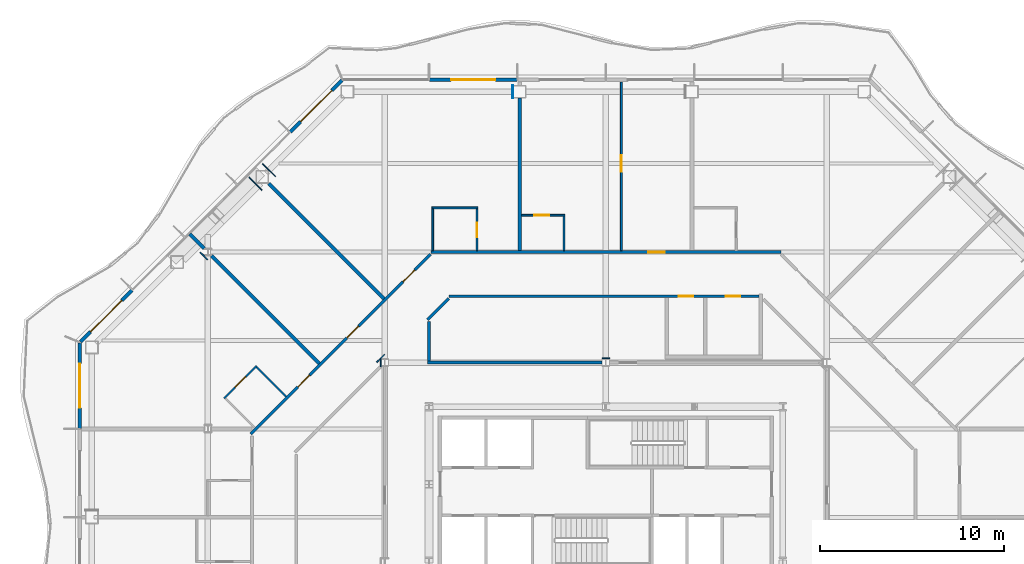
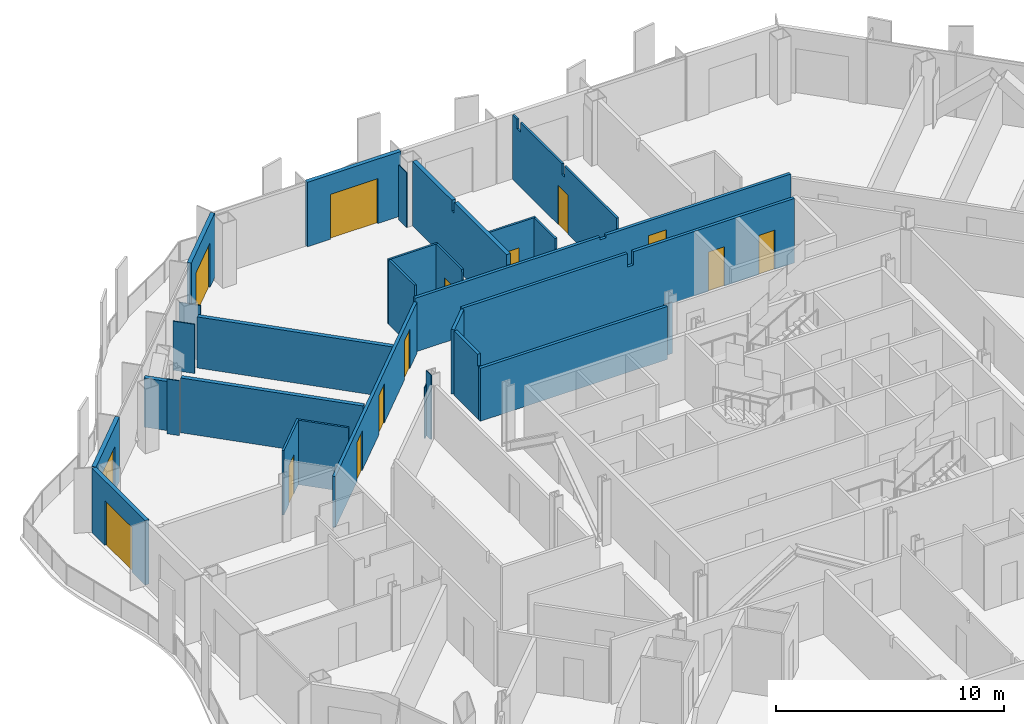
# One storey, part 12 of 22: 29 walls, 14 doors, 14 openings.
"""IFC4 building model written with IfcOpenShell, lengths in metres."""

from ifc_helpers import new_model, si_unit, direction, frame, frame_2d, origin, place, context, subcontext, project, spatial, polyline, rectangle, outline, extrude, material, layer, layer_set, type_object, element, fill, save


model = new_model("IFC4")

# Units and contexts
model_context = context("Model", 3, precision=1e-05, world=origin(), true_north=direction((0.0, 1.0)))
body_context = subcontext(model_context, "Body", "Model", "MODEL_VIEW")
ifc_project = project(units=[si_unit("LENGTHUNIT", "METRE"), si_unit("AREAUNIT", "SQUARE_METRE"), si_unit("VOLUMEUNIT", "CUBIC_METRE"), si_unit("PLANEANGLEUNIT", "RADIAN"), si_unit("MASSUNIT", "GRAM", prefix="KILO")], contexts=[model_context])

# Site, building, storey
site_placement = place(None, origin())
site = spatial("IfcSite", under=ifc_project, at=site_placement, CompositionType="ELEMENT")
building_placement = place(site_placement, origin())
building = spatial("IfcBuilding", under=site, at=building_placement, Name="Cairn Pilgrim Tower", CompositionType="ELEMENT")
storey_placement = place(building_placement, frame((0.0, 0.0, 147.0)))
storey = spatial("IfcBuildingStorey", under=building, at=storey_placement, Name="L36", CompositionType="ELEMENT", Elevation=147.0)

# Wall, opening, door
ifc_material_1 = material(Name="Bronze anodised aluminium insulated sandwich panel with mineral wool fill", Category="aluminium")
ifc_layer_1 = layer(ifc_material_1, 0.199951171875)
ifc_layer_set_1 = layer_set([ifc_layer_1], Name="BRONZE INFILL FRAME WALL 200")
wall_type_1 = type_object("IfcWallType", Name="BRONZE INFILL FRAME WALL 200", PredefinedType="NOTDEFINED", material=ifc_layer_set_1)
wall_1_placement = place(storey_placement, frame((2.3701171875, 28.550048828125, 0.0), z_axis=(0.0, 0.0, 1.0), x_axis=(-1.0, 0.0, 0.0)))
wall_1 = element("IfcWall", 1, at=wall_1_placement, inside=storey, type_object=wall_type_1, Name="Bronze infill frame wall IW-N5", PredefinedType="NOTDEFINED", context=body_context, shape_type="SweptSolid", body=[
    extrude(rectangle(XDim=4.740234375, YDim=0.199951171875, at=frame_2d((2.3701171875, 0.0))), origin(), (0.0, 0.0, 1.0), 3.449951171875),
])
opening_1_placement = place(wall_1_placement, frame((1.169677734375, 0.0, 0.0)))
opening_1 = element("IfcOpeningElement", 2, at=opening_1_placement, cuts=wall_1, Name="Opening 3611B", PredefinedType="OPENING", context=body_context, shape_type="SweptSolid", body=[
    extrude(rectangle(XDim=2.39990234375, YDim=2.39990234375, at=frame_2d((1.199951171875, 1.199951171875))), frame((0.0, 0.10986328125, 0.0), z_axis=(0.0, -1.0, 0.0), x_axis=(1.0, 0.0, 0.0)), (0.0, 0.0, 1.0), 0.219970703125),
])
ifc_material_2 = material(Name="Bronze anodised aluminium frame with tinted low-E glass", Category="aluminium")
door_type_1 = type_object("IfcDoorType", Name="BALCONY SLIDING DOOR 2400x2400", OperationType="DOUBLE_DOOR_SLIDING", PredefinedType="DOOR", material=ifc_material_2)
door_1_placement = place(opening_1_placement, origin())
door_1 = element("IfcDoor", 3, at=door_1_placement, inside=storey, type_object=door_type_1, Name="Balcony sliding door 3611B", OperationType="SINGLE_SWING_LEFT", OverallHeight=2.39990234375, OverallWidth=2.39990234375, PredefinedType="DOOR", context=body_context, shape_type="SweptSolid", body=[
    extrude(rectangle(XDim=2.39990234375, YDim=2.39990234375, at=frame_2d((1.199951171875, 1.199951171875))), frame((0.0, 0.02490234375, 0.0), z_axis=(0.0, -1.0, 0.0), x_axis=(1.0, 0.0, 0.0)), (0.0, 0.0, 1.0), 0.050048828125),
])
fill(opening_1, door_1)

wall_2_placement = place(storey_placement, frame((-7.124755859375, 28.521728515625, 0.0), z_axis=(0.0, 0.0, 1.0), x_axis=(-0.707106781187, -0.707106781187, 0.0)))
wall_2 = element("IfcWall", 4, at=wall_2_placement, inside=storey, type_object=wall_type_1, Name="Bronze infill frame wall IW-NW1", PredefinedType="NOTDEFINED", context=body_context, shape_type="SweptSolid", body=[
    extrude(rectangle(XDim=3.961669921875, YDim=0.199951171875, at=frame_2d((1.98095703125, 0.0))), origin(), (0.0, 0.0, 1.0), 3.449951171875),
])
opening_2_placement = place(wall_2_placement, frame((0.775390625, 0.0, 0.0)))
opening_2 = element("IfcOpeningElement", 5, at=opening_2_placement, cuts=wall_2, Name="Opening 3611B2", PredefinedType="OPENING", context=body_context, shape_type="SweptSolid", body=[
    extrude(rectangle(XDim=2.39990234375, YDim=2.39990234375, at=frame_2d((1.199951171875, 1.199951171875))), frame((0.0, 0.10986328125, 0.0), z_axis=(0.0, -1.0, 0.0), x_axis=(1.0, 0.0, 0.0)), (0.0, 0.0, 1.0), 0.219970703125),
])
door_2_placement = place(opening_2_placement, origin())
door_2 = element("IfcDoor", 6, at=door_2_placement, inside=storey, type_object=door_type_1, Name="Balcony sliding door 3611B2", OperationType="SINGLE_SWING_LEFT", OverallHeight=2.39990234375, OverallWidth=2.39990234375, PredefinedType="DOOR", context=body_context, shape_type="SweptSolid", body=[
    extrude(rectangle(XDim=2.39990234375, YDim=2.39990234375, at=frame_2d((1.199951171875, 1.199951171875))), frame((0.0, 0.02490234375, 0.0), z_axis=(0.0, -1.0, 0.0), x_axis=(1.0, 0.0, 0.0)), (0.0, 0.0, 1.0), 0.050048828125),
])
fill(opening_2, door_2)

wall_3_placement = place(storey_placement, frame((-18.5205078125, 17.1259765625, 0.0), z_axis=(0.0, 0.0, 1.0), x_axis=(-0.707106781187, -0.707106781187, 0.0)))
wall_3 = element("IfcWall", 7, at=wall_3_placement, inside=storey, type_object=wall_type_1, Name="Bronze infill frame wall IW-NW5", PredefinedType="NOTDEFINED", context=body_context, shape_type="SweptSolid", body=[
    extrude(rectangle(XDim=3.961669921875, YDim=0.199951171875, at=frame_2d((1.98095703125, 0.0))), origin(), (0.0, 0.0, 1.0), 3.449951171875),
])
opening_3_placement = place(wall_3_placement, frame((0.785888671875, 0.0, 0.0)))
opening_3 = element("IfcOpeningElement", 8, at=opening_3_placement, cuts=wall_3, Name="Opening 3613B2", PredefinedType="OPENING", context=body_context, shape_type="SweptSolid", body=[
    extrude(rectangle(XDim=2.39990234375, YDim=2.39990234375, at=frame_2d((1.199951171875, 1.199951171875))), frame((0.0, 0.10986328125, 0.0), z_axis=(0.0, -1.0, 0.0), x_axis=(1.0, 0.0, 0.0)), (0.0, 0.0, 1.0), 0.219970703125),
])
door_3_placement = place(opening_3_placement, origin())
door_3 = element("IfcDoor", 9, at=door_3_placement, inside=storey, type_object=door_type_1, Name="Balcony sliding door 3613B2", OperationType="SINGLE_SWING_LEFT", OverallHeight=2.39990234375, OverallWidth=2.39990234375, PredefinedType="DOOR", context=body_context, shape_type="SweptSolid", body=[
    extrude(rectangle(XDim=2.39990234375, YDim=2.39990234375, at=frame_2d((1.199951171875, 1.199951171875))), frame((0.0, 0.02490234375, 0.0), z_axis=(0.0, -1.0, 0.0), x_axis=(1.0, 0.0, 0.0)), (0.0, 0.0, 1.0), 0.050048828125),
])
fill(opening_3, door_3)

wall_4_placement = place(storey_placement, frame((-21.35009765625, 14.25634765625, 0.0), z_axis=(0.0, 0.0, 1.0), x_axis=(0.0, -1.0, 0.0)))
wall_4 = element("IfcWall", 10, at=wall_4_placement, inside=storey, type_object=wall_type_1, Name="Bronze infill frame wall IW-W1", PredefinedType="NOTDEFINED", context=body_context, shape_type="SweptSolid", body=[
    extrude(rectangle(XDim=4.62646484375, YDim=0.199951171875, at=frame_2d((2.313232421875, 0.0))), origin(), (0.0, 0.0, 1.0), 3.449951171875),
])
opening_4_placement = place(wall_4_placement, frame((1.1083984375, 0.0, 0.0)))
opening_4 = element("IfcOpeningElement", 11, at=opening_4_placement, cuts=wall_4, Name="Opening 3613B", PredefinedType="OPENING", context=body_context, shape_type="SweptSolid", body=[
    extrude(rectangle(XDim=2.39990234375, YDim=2.39990234375, at=frame_2d((1.199951171875, 1.199951171875))), frame((0.0, 0.10986328125, 0.0), z_axis=(0.0, -1.0, 0.0), x_axis=(1.0, 0.0, 0.0)), (0.0, 0.0, 1.0), 0.219970703125),
])
door_4_placement = place(opening_4_placement, origin())
door_4 = element("IfcDoor", 12, at=door_4_placement, inside=storey, type_object=door_type_1, Name="Balcony sliding door 3613B", OperationType="SINGLE_SWING_LEFT", OverallHeight=2.39990234375, OverallWidth=2.39990234375, PredefinedType="DOOR", context=body_context, shape_type="SweptSolid", body=[
    extrude(rectangle(XDim=2.39990234375, YDim=2.39990234375, at=frame_2d((1.199951171875, 1.199951171875))), frame((0.0, 0.02490234375, 0.0), z_axis=(0.0, -1.0, 0.0), x_axis=(1.0, 0.0, 0.0)), (0.0, 0.0, 1.0), 0.050048828125),
])
fill(opening_4, door_4)

ifc_material_3 = material(Name="Gypsum partition")
ifc_layer_2 = layer(ifc_material_3, 0.10009765625)
ifc_layer_set_2 = layer_set([ifc_layer_2], Name="PARTITION 100 DRYWALL")
wall_type_2 = type_object("IfcWallType", Name="PARTITION 100 DRYWALL", PredefinedType="PARTITIONING", material=ifc_layer_set_2)
wall_5_placement = place(storey_placement, frame((-13.5263671875, 11.26171875, 0.0), z_axis=(0.0, 0.0, 1.0), x_axis=(0.707106781187, 0.707106781187, 0.0)))
wall_5 = element("IfcWall", 13, at=wall_5_placement, inside=storey, type_object=wall_type_2, Name="PARTITION W073", PredefinedType="PARTITIONING", context=body_context, shape_type="SweptSolid", body=[
    extrude(rectangle(XDim=2.499755859375, YDim=0.10009765625, at=frame_2d((1.25, 0.0))), origin(), (0.0, 0.0, 1.0), 3.449951171875),
])
opening_5_placement = place(wall_5_placement, frame((0.849853515625, 0.0, 0.0)))
opening_5 = element("IfcOpeningElement", 14, at=opening_5_placement, cuts=wall_5, Name="Opening 3613A", PredefinedType="OPENING", context=body_context, shape_type="SweptSolid", body=[
    extrude(rectangle(XDim=0.800048828125, YDim=2.10009765625, at=frame_2d((0.39990234375, 1.050048828125))), frame((0.0, 0.06005859375, 0.0), z_axis=(0.0, -1.0, 0.0), x_axis=(1.0, 0.0, 0.0)), (0.0, 0.0, 1.0), 0.1201171875),
])
ifc_material_4 = material(Name="Timber door leaf", Category="wood")
door_type_2 = type_object("IfcDoorType", Name="WC DOOR 800x2100", OperationType="NOTDEFINED", PredefinedType="DOOR", material=ifc_material_4)
door_5_placement = place(opening_5_placement, origin())
door_5 = element("IfcDoor", 15, at=door_5_placement, inside=storey, type_object=door_type_2, Name="DOOR 3613A", OperationType="SINGLE_SWING_RIGHT", OverallHeight=2.10009765625, OverallWidth=0.800048828125, PredefinedType="DOOR", context=body_context, shape_type="SweptSolid", body=[
    extrude(rectangle(XDim=0.800048828125, YDim=2.10009765625, at=frame_2d((0.39990234375, 1.050048828125))), frame((0.0, 0.02490234375, 0.0), z_axis=(0.0, -1.0, 0.0), x_axis=(1.0, 0.0, 0.0)), (0.0, 0.0, 1.0), 0.050048828125),
])
fill(opening_5, door_5)

# Walls
wall_6_placement = place(storey_placement, frame((-10.14990234375, 11.35009765625, 0.0), z_axis=(0.0, 0.0, 1.0), x_axis=(-0.707160441348, 0.707053116953, 0.0)))
element("IfcWall", 16, at=wall_6_placement, inside=storey, type_object=wall_type_2, Name="PARTITION W074", PredefinedType="PARTITIONING", context=body_context, shape_type="SweptSolid", body=[
    extrude(rectangle(XDim=2.27490234375, YDim=0.10009765625, at=frame_2d((1.137451171875, 0.0))), origin(), (0.0, 0.0, 1.0), 3.449951171875),
])
wall_7_placement = place(storey_placement, frame((-2.194091796875, 19.27490234375, 0.0), z_axis=(0.0, 0.0, 1.0), x_axis=(0.0, 1.0, 0.0)))
element("IfcWall", 17, at=wall_7_placement, inside=storey, type_object=wall_type_2, Name="PARTITION W091", PredefinedType="PARTITIONING", context=body_context, shape_type="SweptSolid", body=[
    extrude(outline(polyline([(0.0, 0.0), (2.275146484375, 0.0), (2.27490234375, 3.449951171875), (0.030029296875, 3.449951171875), (0.028076171875, 2.8798828125), (0.0, 2.8798828125), (0.0, 0.0)])), frame((0.0, 0.050048828125, 0.0), z_axis=(0.0, -1.0, 0.0), x_axis=(1.0, 0.0, 0.0)), (0.0, 0.0, 1.0), 0.10009765625),
])

# Wall, opening, door
wall_8_placement = place(storey_placement, frame((0.2060546875, 19.27490234375, 0.0), z_axis=(0.0, 0.0, 1.0), x_axis=(0.0, 1.0, 0.0)))
wall_8 = element("IfcWall", 18, at=wall_8_placement, inside=storey, type_object=wall_type_2, Name="PARTITION W092", PredefinedType="PARTITIONING", context=body_context, shape_type="SweptSolid", body=[
    extrude(outline(polyline([(0.0, 0.0), (2.275146484375, 0.0), (2.27490234375, 3.449951171875), (0.030029296875, 3.449951171875), (0.028076171875, 2.8798828125), (0.0, 2.8798828125), (0.0, 0.0)])), frame((0.0, 0.050048828125, 0.0), z_axis=(0.0, -1.0, 0.0), x_axis=(1.0, 0.0, 0.0)), (0.0, 0.0, 1.0), 0.10009765625),
])
opening_6_placement = place(wall_8_placement, frame((0.72509765625, 0.0, 0.0)))
opening_6 = element("IfcOpeningElement", 19, at=opening_6_placement, cuts=wall_8, Name="Opening 3611A", PredefinedType="OPENING", context=body_context, shape_type="SweptSolid", body=[
    extrude(rectangle(XDim=0.800048828125, YDim=2.10009765625, at=frame_2d((0.39990234375, 1.050048828125))), frame((0.0, 0.06005859375, 0.0), z_axis=(0.0, -1.0, 0.0), x_axis=(1.0, 0.0, 0.0)), (0.0, 0.0, 1.0), 0.1201171875),
])
door_6_placement = place(opening_6_placement, frame((0.800048828125, 0.0, 0.0), z_axis=(0.0, 0.0, 1.0), x_axis=(-1.0, 0.0, 0.0)))
door_6 = element("IfcDoor", 20, at=door_6_placement, inside=storey, type_object=door_type_2, Name="DOOR 3611A", OperationType="SINGLE_SWING_RIGHT", OverallHeight=2.10009765625, OverallWidth=0.800048828125, PredefinedType="DOOR", context=body_context, shape_type="SweptSolid", body=[
    extrude(rectangle(XDim=0.800048828125, YDim=2.10009765625, at=frame_2d((0.39990234375, 1.050048828125))), frame((0.0, 0.02490234375, 0.0), z_axis=(0.0, -1.0, 0.0), x_axis=(1.0, 0.0, 0.0)), (0.0, 0.0, 1.0), 0.050048828125),
])
fill(opening_6, door_6)

# Wall
wall_9_placement = place(storey_placement, frame((4.924072265625, 19.27490234375, 0.0), z_axis=(0.0, 0.0, 1.0), x_axis=(0.0, 1.0, 0.0)))
element("IfcWall", 21, at=wall_9_placement, inside=storey, type_object=wall_type_2, Name="PARTITION W094", PredefinedType="PARTITIONING", context=body_context, shape_type="SweptSolid", body=[
    extrude(outline(polyline([(0.0, 0.0), (1.875, 0.0), (1.875, 3.449951171875), (0.030029296875, 3.449951171875), (0.028076171875, 2.8798828125), (0.0, 2.8798828125), (0.0, 0.0)])), frame((0.0, 0.050048828125, 0.0), z_axis=(0.0, -1.0, 0.0), x_axis=(1.0, 0.0, 0.0)), (0.0, 0.0, 1.0), 0.10009765625),
])

# Wall, opening, door
wall_10_placement = place(storey_placement, frame((8.0419921875, 19.27490234375, 0.0), z_axis=(0.0, 0.0, 1.0), x_axis=(0.0, 1.0, 0.0)))
wall_10 = element("IfcWall", 22, at=wall_10_placement, inside=storey, type_object=wall_type_2, Name="PARTITION W095", PredefinedType="PARTITIONING", context=body_context, shape_type="SweptSolid", body=[
    extrude(outline(polyline([(0.0, 0.0), (9.14501953125, 0.0), (9.14501953125, 3.449951171875), (8.77490234375, 3.449951171875), (8.77294921875, 2.929931640625), (8.47509765625, 2.929931640625), (8.472900390625, 3.449951171875), (4.830078125, 3.449951171875), (4.827880859375, 2.8798828125), (4.6201171875, 2.8798828125), (4.617919921875, 3.449951171875), (0.030029296875, 3.449951171875), (0.028076171875, 2.8798828125), (0.0, 2.8798828125), (0.0, 0.0)])), frame((0.0, 0.050048828125, 0.0), z_axis=(0.0, -1.0, 0.0), x_axis=(1.0, 0.0, 0.0)), (0.0, 0.0, 1.0), 0.10009765625),
])
opening_7_placement = place(wall_10_placement, frame((4.27490234375, 0.0, 0.0)))
opening_7 = element("IfcOpeningElement", 23, at=opening_7_placement, cuts=wall_10, Name="Opening 3610C", PredefinedType="OPENING", context=body_context, shape_type="SweptSolid", body=[
    extrude(rectangle(XDim=0.89990234375, YDim=2.10009765625, at=frame_2d((0.449951171875, 1.050048828125))), frame((0.0, 0.06005859375, 0.0), z_axis=(0.0, -1.0, 0.0), x_axis=(1.0, 0.0, 0.0)), (0.0, 0.0, 1.0), 0.1201171875),
])
door_type_3 = type_object("IfcDoorType", Name="SERVICE DOOR 900x2100", OperationType="NOTDEFINED", PredefinedType="DOOR", material=ifc_material_4)
door_7_placement = place(opening_7_placement, frame((0.89990234375, 0.0, 0.0), z_axis=(0.0, 0.0, 1.0), x_axis=(-1.0, 0.0, 0.0)))
door_7 = element("IfcDoor", 24, at=door_7_placement, inside=storey, type_object=door_type_3, Name="DOOR 3610C", OperationType="SINGLE_SWING_RIGHT", OverallHeight=2.10009765625, OverallWidth=0.89990234375, PredefinedType="DOOR", context=body_context, shape_type="SweptSolid", body=[
    extrude(rectangle(XDim=0.89990234375, YDim=2.10009765625, at=frame_2d((0.449951171875, 1.050048828125))), frame((0.0, 0.02490234375, 0.0), z_axis=(0.0, -1.0, 0.0), x_axis=(1.0, 0.0, 0.0)), (0.0, 0.0, 1.0), 0.050048828125),
])
fill(opening_7, door_7)

wall_11_placement = place(storey_placement, frame((2.6240234375, 21.199951171875, 0.0), z_axis=(0.0, 0.0, 1.0), x_axis=(1.0, 0.0, 0.0)))
wall_11 = element("IfcWall", 25, at=wall_11_placement, inside=storey, type_object=wall_type_2, Name="PARTITION W099", PredefinedType="PARTITIONING", context=body_context, shape_type="SweptSolid", body=[
    extrude(rectangle(XDim=2.35009765625, YDim=0.10009765625, at=frame_2d((1.175048828125, 0.0))), origin(), (0.0, 0.0, 1.0), 3.449951171875),
])
opening_8_placement = place(wall_11_placement, frame((0.699951171875, 0.0, 0.0)))
opening_8 = element("IfcOpeningElement", 26, at=opening_8_placement, cuts=wall_11, Name="Opening 3610A", PredefinedType="OPENING", context=body_context, shape_type="SweptSolid", body=[
    extrude(rectangle(XDim=0.800048828125, YDim=2.10009765625, at=frame_2d((0.39990234375, 1.050048828125))), frame((0.0, 0.06005859375, 0.0), z_axis=(0.0, -1.0, 0.0), x_axis=(1.0, 0.0, 0.0)), (0.0, 0.0, 1.0), 0.1201171875),
])
door_8_placement = place(opening_8_placement, origin())
door_8 = element("IfcDoor", 27, at=door_8_placement, inside=storey, type_object=door_type_2, Name="DOOR 3610A", OperationType="SINGLE_SWING_RIGHT", OverallHeight=2.10009765625, OverallWidth=0.800048828125, PredefinedType="DOOR", context=body_context, shape_type="SweptSolid", body=[
    extrude(rectangle(XDim=0.800048828125, YDim=2.10009765625, at=frame_2d((0.39990234375, 1.050048828125))), frame((0.0, 0.02490234375, 0.0), z_axis=(0.0, -1.0, 0.0), x_axis=(1.0, 0.0, 0.0)), (0.0, 0.0, 1.0), 0.050048828125),
])
fill(opening_8, door_8)

# Wall
wall_12_placement = place(storey_placement, frame((-2.243896484375, 21.60009765625, 0.0), z_axis=(0.0, 0.0, 1.0), x_axis=(1.0, 0.0, 0.0)))
element("IfcWall", 28, at=wall_12_placement, inside=storey, type_object=wall_type_2, Name="PARTITION W100", PredefinedType="PARTITIONING", context=body_context, shape_type="SweptSolid", body=[
    extrude(rectangle(XDim=2.5, YDim=0.10009765625, at=frame_2d((1.25, 0.0))), origin(), (0.0, 0.0, 1.0), 3.449951171875),
])

# Wall, openings, doors
ifc_layer_3 = layer(ifc_material_3, 0.14990234375)
ifc_layer_set_3 = layer_set([ifc_layer_3], Name="PARTITION 150 DRYWALL EI 60")
wall_type_3 = type_object("IfcWallType", Name="PARTITION 150 DRYWALL EI 60", PredefinedType="PARTITIONING", material=ifc_layer_set_3)
wall_13_placement = place(storey_placement, frame((-12.074951171875, 9.319091796875, 0.0), z_axis=(0.0, 0.0, 1.0), x_axis=(0.707106781187, 0.707106781187, 0.0)))
wall_13 = element("IfcWall", 29, at=wall_13_placement, inside=storey, type_object=wall_type_3, Name="PARTITION W065", PredefinedType="PARTITIONING", context=body_context, shape_type="SweptSolid", body=[
    extrude(rectangle(XDim=13.792724609375, YDim=0.14990234375, at=frame_2d((6.896484375, 0.0))), origin(), (0.0, 0.0, 1.0), 2.72998046875),
])
opening_9_placement = place(wall_13_placement, frame((11.691650390625, 0.0, 0.0)))
opening_9 = element("IfcOpeningElement", 30, at=opening_9_placement, cuts=wall_13, Name="Opening 3611", PredefinedType="OPENING", context=body_context, shape_type="SweptSolid", body=[
    extrude(rectangle(XDim=0.89990234375, YDim=2.10009765625, at=frame_2d((0.449951171875, 1.050048828125))), frame((0.0, 0.0849609375, 0.0), z_axis=(0.0, -1.0, 0.0), x_axis=(1.0, 0.0, 0.0)), (0.0, 0.0, 1.0), 0.169921875),
])
opening_10_placement = place(wall_13_placement, frame((7.3759765625, 0.0, 0.0)))
opening_10 = element("IfcOpeningElement", 31, at=opening_10_placement, cuts=wall_13, Name="Opening 3612", PredefinedType="OPENING", context=body_context, shape_type="SweptSolid", body=[
    extrude(rectangle(XDim=0.89990234375, YDim=2.10009765625, at=frame_2d((0.449951171875, 1.050048828125))), frame((0.0, 0.0849609375, 0.0), z_axis=(0.0, -1.0, 0.0), x_axis=(1.0, 0.0, 0.0)), (0.0, 0.0, 1.0), 0.169921875),
])
opening_11_placement = place(wall_13_placement, frame((3.620361328125, 0.0, 0.0)))
opening_11 = element("IfcOpeningElement", 32, at=opening_11_placement, cuts=wall_13, Name="Opening 3613", PredefinedType="OPENING", context=body_context, shape_type="SweptSolid", body=[
    extrude(rectangle(XDim=0.89990234375, YDim=2.10009765625, at=frame_2d((0.449951171875, 1.050048828125))), frame((0.0, 0.0849609375, 0.0), z_axis=(0.0, -1.0, 0.0), x_axis=(1.0, 0.0, 0.0)), (0.0, 0.0, 1.0), 0.169921875),
])
door_type_4 = type_object("IfcDoorType", Name="ROOM DOOR 900x2100 FD30S", OperationType="NOTDEFINED", PredefinedType="DOOR", material=ifc_material_4)
door_9_placement = place(opening_9_placement, origin())
door_9 = element("IfcDoor", 33, at=door_9_placement, inside=storey, type_object=door_type_4, Name="DOOR 3611", OperationType="SINGLE_SWING_RIGHT", OverallHeight=2.10009765625, OverallWidth=0.89990234375, PredefinedType="DOOR", context=body_context, shape_type="SweptSolid", body=[
    extrude(rectangle(XDim=0.89990234375, YDim=2.10009765625, at=frame_2d((0.449951171875, 1.050048828125))), frame((0.0, 0.02490234375, 0.0), z_axis=(0.0, -1.0, 0.0), x_axis=(1.0, 0.0, 0.0)), (0.0, 0.0, 1.0), 0.050048828125),
])
fill(opening_9, door_9)
door_10_placement = place(opening_11_placement, origin())
door_10 = element("IfcDoor", 34, at=door_10_placement, inside=storey, type_object=door_type_4, Name="DOOR 3613", OperationType="SINGLE_SWING_RIGHT", OverallHeight=2.10009765625, OverallWidth=0.89990234375, PredefinedType="DOOR", context=body_context, shape_type="SweptSolid", body=[
    extrude(rectangle(XDim=0.89990234375, YDim=2.10009765625, at=frame_2d((0.449951171875, 1.050048828125))), frame((0.0, 0.02490234375, 0.0), z_axis=(0.0, -1.0, 0.0), x_axis=(1.0, 0.0, 0.0)), (0.0, 0.0, 1.0), 0.050048828125),
])
fill(opening_11, door_10)
door_type_5 = type_object("IfcDoorType", Name="SERVICE DOOR 900x2100 FD30S", OperationType="NOTDEFINED", PredefinedType="DOOR", material=ifc_material_4)
door_11_placement = place(opening_10_placement, origin())
door_11 = element("IfcDoor", 35, at=door_11_placement, inside=storey, type_object=door_type_5, Name="DOOR 3612", OperationType="SINGLE_SWING_RIGHT", OverallHeight=2.10009765625, OverallWidth=0.89990234375, PredefinedType="DOOR", context=body_context, shape_type="SweptSolid", body=[
    extrude(rectangle(XDim=0.89990234375, YDim=2.10009765625, at=frame_2d((0.449951171875, 1.050048828125))), frame((0.0, 0.02490234375, 0.0), z_axis=(0.0, -1.0, 0.0), x_axis=(1.0, 0.0, 0.0)), (0.0, 0.0, 1.0), 0.050048828125),
])
fill(opening_10, door_11)

# Walls
wall_14_placement = place(storey_placement, frame((-2.47509765625, 13.199951171875, 0.0), z_axis=(0.0, 0.0, 1.0), x_axis=(1.0, 0.0, 0.0)))
element("IfcWall", 36, at=wall_14_placement, inside=storey, type_object=wall_type_3, Name="PARTITION W077", PredefinedType="PARTITIONING", context=body_context, shape_type="SweptSolid", body=[
    extrude(rectangle(XDim=9.470703125, YDim=0.14990234375, at=frame_2d((4.7353515625, 0.0))), origin(), (0.0, 0.0, 1.0), 2.830078125),
])
wall_15_placement = place(storey_placement, frame((-2.39990234375, 13.27490234375, 0.0), z_axis=(0.0, 0.0, 1.0), x_axis=(0.0, 1.0, 0.0)))
element("IfcWall", 37, at=wall_15_placement, inside=storey, type_object=wall_type_3, Name="PARTITION W079", PredefinedType="PARTITIONING", context=body_context, shape_type="SweptSolid", body=[
    extrude(outline(polyline([(0.0, 0.0), (2.14404296875, 0.0), (2.143798828125, 3.449951171875), (0.074951171875, 3.449951171875), (0.072998046875, 2.830078125), (0.0, 2.830078125), (0.0, 0.0)])), frame((0.0, 0.074951171875, 0.0), z_axis=(0.0, -1.0, 0.0), x_axis=(1.0, 0.0, 0.0)), (0.0, 0.0, 1.0), 0.14990234375),
])
wall_16_placement = place(storey_placement, frame((-2.47509765625, 15.52490234375, 0.0), z_axis=(0.0, 0.0, 1.0), x_axis=(0.707106781187, 0.707106781187, 0.0)))
element("IfcWall", 38, at=wall_16_placement, inside=storey, type_object=wall_type_3, Name="PARTITION W086", PredefinedType="PARTITIONING", context=body_context, shape_type="SweptSolid", body=[
    extrude(rectangle(XDim=1.622314453125, YDim=0.14990234375, at=frame_2d((0.81103515625, 0.0))), origin(), (0.0, 0.0, 1.0), 3.449951171875),
])

# Wall, openings, doors
wall_17_placement = place(storey_placement, frame((-1.30615234375, 16.800048828125, 0.0), z_axis=(0.0, 0.0, 1.0), x_axis=(1.0, 0.0, 0.0)))
wall_17 = element("IfcWall", 39, at=wall_17_placement, inside=storey, type_object=wall_type_3, Name="PARTITION W089", PredefinedType="PARTITIONING", context=body_context, shape_type="SweptSolid", body=[
    extrude(outline(polyline([(0.0, 0.0), (16.80615234375, 0.0), (16.80615234375, 3.449951171875), (8.656005859375, 3.449951171875), (8.654052734375, 2.72998046875), (8.356201171875, 2.72998046875), (8.35400390625, 3.449951171875), (0.0, 3.449951171875), (0.0, 0.0)])), frame((0.0, 0.074951171875, 0.0), z_axis=(0.0, -1.0, 0.0), x_axis=(1.0, 0.0, 0.0)), (0.0, 0.0, 1.0), 0.14990234375),
])
opening_12_placement = place(wall_17_placement, frame((15.006103515625, 0.0, 0.0)))
opening_12 = element("IfcOpeningElement", 40, at=opening_12_placement, cuts=wall_17, Name="Opening 3623", PredefinedType="OPENING", context=body_context, shape_type="SweptSolid", body=[
    extrude(rectangle(XDim=0.800048828125, YDim=2.10009765625, at=frame_2d((0.39990234375, 1.050048828125))), frame((0.0, 0.0849609375, 0.0), z_axis=(0.0, -1.0, 0.0), x_axis=(1.0, 0.0, 0.0)), (0.0, 0.0, 1.0), 0.169921875),
])
opening_13_placement = place(wall_17_placement, frame((12.4560546875, 0.0, 0.0)))
opening_13 = element("IfcOpeningElement", 41, at=opening_13_placement, cuts=wall_17, Name="Opening 3624", PredefinedType="OPENING", context=body_context, shape_type="SweptSolid", body=[
    extrude(rectangle(XDim=0.800048828125, YDim=2.10009765625, at=frame_2d((0.39990234375, 1.050048828125))), frame((0.0, 0.0849609375, 0.0), z_axis=(0.0, -1.0, 0.0), x_axis=(1.0, 0.0, 0.0)), (0.0, 0.0, 1.0), 0.169921875),
])
door_type_6 = type_object("IfcDoorType", Name="WC DOOR 800x2100 FD30S", OperationType="NOTDEFINED", PredefinedType="DOOR", material=ifc_material_4)
door_12_placement = place(opening_12_placement, frame((0.800048828125, 0.0, 0.0), z_axis=(0.0, 0.0, 1.0), x_axis=(-1.0, 0.0, 0.0)))
door_12 = element("IfcDoor", 42, at=door_12_placement, inside=storey, type_object=door_type_6, Name="DOOR 3623", OperationType="SINGLE_SWING_LEFT", OverallHeight=2.10009765625, OverallWidth=0.800048828125, PredefinedType="DOOR", context=body_context, shape_type="SweptSolid", body=[
    extrude(rectangle(XDim=0.800048828125, YDim=2.10009765625, at=frame_2d((0.39990234375, 1.050048828125))), frame((0.0, 0.02490234375, 0.0), z_axis=(0.0, -1.0, 0.0), x_axis=(1.0, 0.0, 0.0)), (0.0, 0.0, 1.0), 0.050048828125),
])
fill(opening_12, door_12)
door_13_placement = place(opening_13_placement, frame((0.800048828125, 0.0, 0.0), z_axis=(0.0, 0.0, 1.0), x_axis=(-1.0, 0.0, 0.0)))
door_13 = element("IfcDoor", 43, at=door_13_placement, inside=storey, type_object=door_type_6, Name="DOOR 3624", OperationType="SINGLE_SWING_LEFT", OverallHeight=2.10009765625, OverallWidth=0.800048828125, PredefinedType="DOOR", context=body_context, shape_type="SweptSolid", body=[
    extrude(rectangle(XDim=0.800048828125, YDim=2.10009765625, at=frame_2d((0.39990234375, 1.050048828125))), frame((0.0, 0.02490234375, 0.0), z_axis=(0.0, -1.0, 0.0), x_axis=(1.0, 0.0, 0.0)), (0.0, 0.0, 1.0), 0.050048828125),
])
fill(opening_13, door_13)

# Wall, opening, door
wall_18_placement = place(storey_placement, frame((-2.300048828125, 19.199951171875, 0.0), z_axis=(0.0, 0.0, 1.0), x_axis=(1.0, 0.0, 0.0)))
wall_18 = element("IfcWall", 44, at=wall_18_placement, inside=storey, type_object=wall_type_3, Name="PARTITION W090", PredefinedType="PARTITIONING", context=body_context, shape_type="SweptSolid", body=[
    extrude(outline(polyline([(0.0, 0.0), (19.0, 0.0), (19.0, 2.8798828125), (9.650146484375, 2.8798828125), (9.648193359375, 2.72998046875), (9.35009765625, 2.72998046875), (9.34814453125, 2.8798828125), (0.0, 2.8798828125), (0.0, 0.0)])), frame((0.0, 0.074951171875, 0.0), z_axis=(0.0, -1.0, 0.0), x_axis=(1.0, 0.0, 0.0)), (0.0, 0.0, 1.0), 0.14990234375),
])
opening_14_placement = place(wall_18_placement, frame((11.80908203125, 0.0, 0.0)))
opening_14 = element("IfcOpeningElement", 45, at=opening_14_placement, cuts=wall_18, Name="Opening 3610", PredefinedType="OPENING", context=body_context, shape_type="SweptSolid", body=[
    extrude(rectangle(XDim=0.89990234375, YDim=2.10009765625, at=frame_2d((0.449951171875, 1.050048828125))), frame((0.0, 0.0849609375, 0.0), z_axis=(0.0, -1.0, 0.0), x_axis=(1.0, 0.0, 0.0)), (0.0, 0.0, 1.0), 0.169921875),
])
door_14_placement = place(opening_14_placement, origin())
door_14 = element("IfcDoor", 46, at=door_14_placement, inside=storey, type_object=door_type_4, Name="DOOR 3610", OperationType="SINGLE_SWING_RIGHT", OverallHeight=2.10009765625, OverallWidth=0.89990234375, PredefinedType="DOOR", context=body_context, shape_type="SweptSolid", body=[
    extrude(rectangle(XDim=0.89990234375, YDim=2.10009765625, at=frame_2d((0.449951171875, 1.050048828125))), frame((0.0, 0.02490234375, 0.0), z_axis=(0.0, -1.0, 0.0), x_axis=(1.0, 0.0, 0.0)), (0.0, 0.0, 1.0), 0.050048828125),
])
fill(opening_14, door_14)

# Walls
ifc_layer_4 = layer(ifc_material_3, 0.050048828125)
ifc_layer_set_4 = layer_set([ifc_layer_4], Name="PARTITION 50 DRYWALL EI 60")
wall_type_4 = type_object("IfcWallType", Name="PARTITION 50 DRYWALL EI 60", PredefinedType="PARTITIONING", material=ifc_layer_set_4)
wall_19_placement = place(storey_placement, frame((-5.029541015625, 12.987548828125, 0.0), z_axis=(0.0, 0.0, 1.0), x_axis=(0.0, 1.0, 0.0)))
element("IfcWall", 47, at=wall_19_placement, inside=storey, type_object=wall_type_4, Name="COLUMN CASING WC18", PredefinedType="PARTITIONING", context=body_context, shape_type="SweptSolid", body=[
    extrude(rectangle(XDim=0.425048828125, YDim=0.050048828125, at=frame_2d((0.21240234375, 0.0))), origin(), (0.0, 0.0, 1.0), 3.449951171875),
])
wall_20_placement = place(storey_placement, frame((-5.234619140625, 13.2177734375, 0.0), z_axis=(0.0, 0.0, 1.0), x_axis=(0.707106781187, 0.707106781187, 0.0)))
element("IfcWall", 48, at=wall_20_placement, inside=storey, type_object=wall_type_4, Name="COLUMN CASING WC25", PredefinedType="PARTITIONING", context=body_context, shape_type="SweptSolid", body=[
    extrude(rectangle(XDim=0.589599609375, YDim=0.050048828125, at=frame_2d((0.294921875, 0.0))), origin(), (0.0, 0.0, 1.0), 2.72998046875),
])
wall_21_placement = place(storey_placement, frame((-14.417724609375, 18.786376953125, 0.0), z_axis=(0.0, 0.0, 1.0), x_axis=(-0.707106781187, 0.707106781187, 0.0)))
element("IfcWall", 49, at=wall_21_placement, inside=storey, type_object=wall_type_4, Name="COLUMN CASING WC31", PredefinedType="PARTITIONING", context=body_context, shape_type="SweptSolid", body=[
    extrude(rectangle(XDim=0.56005859375, YDim=0.050048828125, at=frame_2d((0.280029296875, 0.0))), origin(), (0.0, 0.0, 1.0), 2.929931640625),
])
wall_22_placement = place(storey_placement, frame((6.99560546875, 13.4375, 0.0), z_axis=(0.0, 0.0, 1.0), x_axis=(1.0, 0.0, 0.0)))
element("IfcWall", 50, at=wall_22_placement, inside=storey, type_object=wall_type_4, Name="COLUMN CASING WC32", PredefinedType="PARTITIONING", context=body_context, shape_type="SweptSolid", body=[
    extrude(rectangle(XDim=0.408935546875, YDim=0.050048828125, at=frame_2d((0.20458984375, 0.0))), origin(), (0.0, 0.0, 1.0), 2.72998046875),
])
wall_23_placement = place(storey_placement, frame((-11.46923828125, 22.55810546875, 0.0), z_axis=(0.0, 0.0, 1.0), x_axis=(-0.707106781187, 0.707106781187, 0.0)))
element("IfcWall", 51, at=wall_23_placement, inside=storey, type_object=wall_type_4, Name="COLUMN CASING WC34", PredefinedType="PARTITIONING", context=body_context, shape_type="SweptSolid", body=[
    extrude(rectangle(XDim=0.989990234375, YDim=0.050048828125, at=frame_2d((0.4951171875, 0.0))), origin(), (0.0, 0.0, 1.0), 2.6298828125),
])
wall_24_placement = place(storey_placement, frame((-10.73388671875, 23.29345703125, 0.0), z_axis=(0.0, 0.0, 1.0), x_axis=(-0.707106781187, 0.707106781187, 0.0)))
element("IfcWall", 52, at=wall_24_placement, inside=storey, type_object=wall_type_4, Name="COLUMN CASING WC35", PredefinedType="PARTITIONING", context=body_context, shape_type="SweptSolid", body=[
    extrude(rectangle(XDim=0.989990234375, YDim=0.050048828125, at=frame_2d((0.4951171875, 0.0))), origin(), (0.0, 0.0, 1.0), 2.929931640625),
])
wall_25_placement = place(storey_placement, frame((2.1494140625, 27.550048828125, 0.0), z_axis=(0.0, 0.0, 1.0), x_axis=(0.0, 1.0, 0.0)))
element("IfcWall", 53, at=wall_25_placement, inside=storey, type_object=wall_type_4, Name="COLUMN CASING WC38", PredefinedType="PARTITIONING", context=body_context, shape_type="SweptSolid", body=[
    extrude(rectangle(XDim=0.699951171875, YDim=0.050048828125, at=frame_2d((0.35009765625, 0.0))), origin(), (0.0, 0.0, 1.0), 2.929931640625),
])
ifc_layer_5 = layer(ifc_material_3, 0.199951171875)
ifc_layer_set_5 = layer_set([ifc_layer_5], Name="SHAFT WALL 200 GYPSUM EI 60")
wall_type_5 = type_object("IfcWallType", Name="SHAFT WALL 200 GYPSUM EI 60", PredefinedType="PARTITIONING", material=ifc_layer_set_5)
wall_26_placement = place(storey_placement, frame((-8.35009765625, 13.14990234375, 0.0), z_axis=(0.0, 0.0, 1.0), x_axis=(-0.707092030896, 0.707121531169, 0.0)))
element("IfcWall", 54, at=wall_26_placement, inside=storey, type_object=wall_type_5, Name="PARTITION W076", PredefinedType="PARTITIONING", context=body_context, shape_type="SweptSolid", body=[
    extrude(rectangle(XDim=8.27587890625, YDim=0.199951171875, at=frame_2d((4.137939453125, 0.0))), origin(), (0.0, 0.0, 1.0), 2.929931640625),
])
wall_27_placement = place(storey_placement, frame((-4.837890625, 16.662109375, 0.0), z_axis=(0.0, 0.0, 1.0), x_axis=(-0.707120561855, 0.707093000249, 0.0)))
element("IfcWall", 55, at=wall_27_placement, inside=storey, type_object=wall_type_5, Name="PARTITION W087", PredefinedType="PARTITIONING", context=body_context, shape_type="SweptSolid", body=[
    extrude(rectangle(XDim=8.85791015625, YDim=0.199951171875, at=frame_2d((4.428955078125, 0.0))), origin(), (0.0, 0.0, 1.0), 2.72998046875),
])
wall_28_placement = place(storey_placement, frame((2.52392578125, 19.27490234375, 0.0), z_axis=(0.0, 0.0, 1.0), x_axis=(0.0, 1.0, 0.0)))
element("IfcWall", 56, at=wall_28_placement, inside=storey, type_object=wall_type_5, Name="PARTITION W093", PredefinedType="PARTITIONING", context=body_context, shape_type="SweptSolid", body=[
    extrude(outline(polyline([(0.0, 0.0), (8.275146484375, 0.0), (8.27490234375, 3.449951171875), (4.830078125, 3.449951171875), (4.827880859375, 2.8798828125), (4.6201171875, 2.8798828125), (4.617919921875, 3.449951171875), (0.030029296875, 3.449951171875), (0.028076171875, 2.8798828125), (0.0, 2.8798828125), (0.0, 0.0)])), frame((0.0, 0.10009765625, 0.0), z_axis=(0.0, -1.0, 0.0), x_axis=(1.0, 0.0, 0.0)), (0.0, 0.0, 1.0), 0.199951171875),
])
wall_29_placement = place(storey_placement, frame((-14.597900390625, 19.39794921875, 0.0), z_axis=(0.0, 0.0, 1.0), x_axis=(-0.707106781187, 0.707106781187, 0.0)))
element("IfcWall", 57, at=wall_29_placement, inside=storey, type_object=wall_type_5, Name="PARTITION W098", PredefinedType="PARTITIONING", context=body_context, shape_type="SweptSolid", body=[
    extrude(rectangle(XDim=1.107177734375, YDim=0.199951171875, at=frame_2d((0.5537109375, 0.0))), origin(), (0.0, 0.0, 1.0), 2.6298828125),
])

save(model, "model.ifc")
